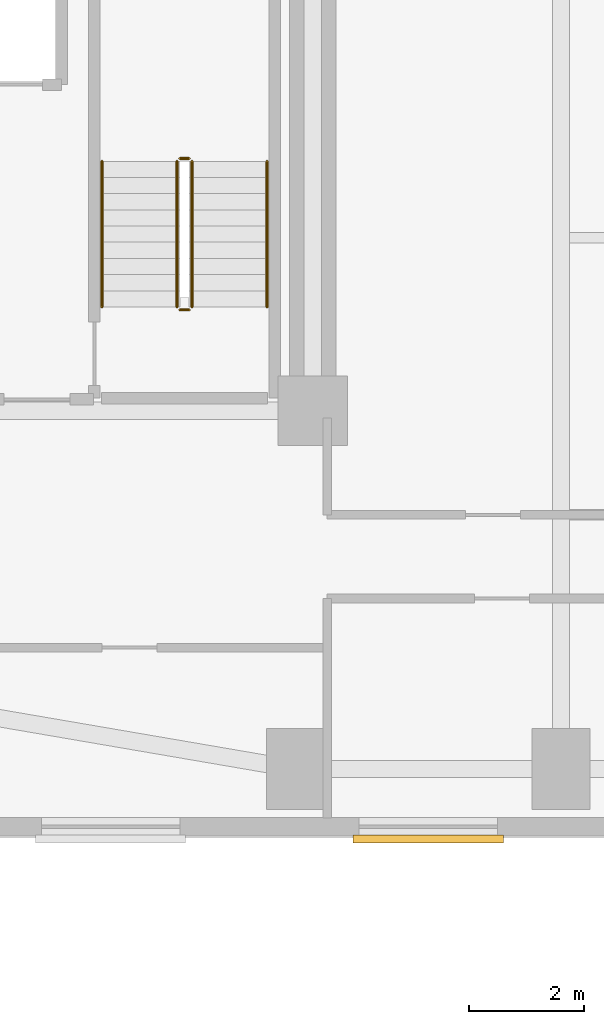
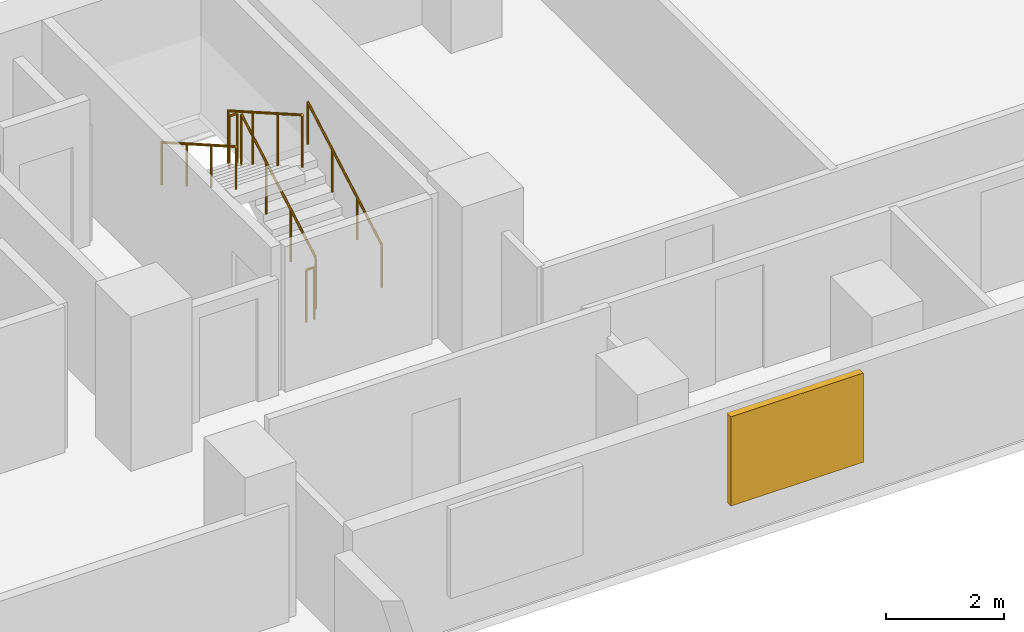
# One storey, part 14 of 15: 6 railings, 1 shading device.
"""IFC4 building model written with IfcOpenShell, lengths in metres."""

from ifc_helpers import new_model, si_unit, direction, frame, origin, origin_2d, place, context, subcontext, project, spatial, rectangle, circle, extrude, material, layer, layer_set, type_object, element, save


model = new_model("IFC4")

# Units and contexts
model_context = context("Model", 3, precision=1e-05, world=origin(), true_north=direction((0.0, 1.0)))
body_context = subcontext(model_context, "Body", "Model", "MODEL_VIEW")
ifc_project = project(units=[si_unit("LENGTHUNIT", "METRE"), si_unit("AREAUNIT", "SQUARE_METRE"), si_unit("VOLUMEUNIT", "CUBIC_METRE"), si_unit("PLANEANGLEUNIT", "RADIAN"), si_unit("MASSUNIT", "GRAM", prefix="KILO")], contexts=[model_context])

# Site, building, storey
site_placement = place(None, origin())
site = spatial("IfcSite", under=ifc_project, at=site_placement, CompositionType="ELEMENT")
building_placement = place(site_placement, origin())
building = spatial("IfcBuilding", under=site, at=building_placement, Name="Kuzgunbayir Cultural Tower", CompositionType="ELEMENT")
storey_placement = place(building_placement, frame((0.0, 0.0, 59.60009765625)))
storey = spatial("IfcBuildingStorey", under=building, at=storey_placement, Name="L16", CompositionType="ELEMENT", Elevation=59.60009765625)

# Railings
ifc_material_1 = material(Name="Brushed Stainless Steel", Category="steel")
ifc_layer_1 = layer(ifc_material_1, 0.050048828125)
ifc_layer_set_1 = layer_set([ifc_layer_1], Name="Brushed Stainless Steel")
railing_type_1 = type_object("IfcRailingType", Name="RLG-STAIR-HANDRAIL", PredefinedType="HANDRAIL", material=ifc_layer_set_1)
railing_1_placement = place(storey_placement, frame((26.110107421875, 35.60009765625, 0.159912109375)))
element("IfcRailing", 1, at=railing_1_placement, inside=storey, type_object=railing_type_1, Name="L16 ST-2 stair handrail 1", PredefinedType="HANDRAIL", context=body_context, shape_type="SweptSolid", body=[
    extrude(circle(Radius=0.02392578125, at=origin_2d()), frame((0.0, 0.0, 0.8759765625), z_axis=(0.0, 0.868253494771, 0.496120820787), x_axis=(-1.0, 0.0, 0.0)), (0.0, 0.0, 1.0), 2.90234375),
    extrude(circle(Radius=0.02099609375, at=origin_2d()), origin(), (0.0, 0.0, 1.0), 0.851806640625),
    extrude(circle(Radius=0.02099609375, at=origin_2d()), frame((0.0, 0.840087890625, 0.47998046875)), (0.0, 0.0, 1.0), 0.851806640625),
    extrude(circle(Radius=0.02099609375, at=origin_2d()), frame((0.0, 1.679931640625, 0.9599609375)), (0.0, 0.0, 1.0), 0.851806640625),
    extrude(circle(Radius=0.02099609375, at=origin_2d()), frame((0.0, 2.52001953125, 1.43994140625)), (0.0, 0.0, 1.0), 0.851806640625),
])
railing_2_placement = place(storey_placement, frame((23.25, 38.1201171875, 1.760009765625)))
element("IfcRailing", 2, at=railing_2_placement, inside=storey, type_object=railing_type_1, Name="L16 ST-2 stair handrail 2", PredefinedType="HANDRAIL", context=body_context, shape_type="SweptSolid", body=[
    extrude(circle(Radius=0.02392578125, at=origin_2d()), frame((0.0, 0.0, 0.8759765625), z_axis=(0.0, -0.868253494771, 0.496120820787), x_axis=(1.0, 0.0, 0.0)), (0.0, 0.0, 1.0), 2.90234375),
    extrude(circle(Radius=0.02099609375, at=origin_2d()), origin(), (0.0, 0.0, 1.0), 0.851806640625),
    extrude(circle(Radius=0.02099609375, at=origin_2d()), frame((0.0, -0.840087890625, 0.47998046875)), (0.0, 0.0, 1.0), 0.851806640625),
    extrude(circle(Radius=0.02099609375, at=origin_2d()), frame((0.0, -1.679931640625, 0.9599609375)), (0.0, 0.0, 1.0), 0.851806640625),
    extrude(circle(Radius=0.02099609375, at=origin_2d()), frame((0.0, -2.52001953125, 1.43994140625)), (0.0, 0.0, 1.0), 0.851806640625),
])
ifc_material_2 = material(Name="Painted Steel Balustrade", Category="steel")
ifc_layer_2 = layer(ifc_material_2, 0.06005859375)
ifc_layer_set_2 = layer_set([ifc_layer_2], Name="Painted Steel Balustrade")
railing_type_2 = type_object("IfcRailingType", Name="RLG-WELL-GUARD", PredefinedType="GUARDRAIL", material=ifc_layer_set_2)
railing_3_placement = place(storey_placement, frame((24.81005859375, 35.60009765625, 0.159912109375)))
element("IfcRailing", 3, at=railing_3_placement, inside=storey, type_object=railing_type_2, Name="L16 ST-2 stair guard 1", PredefinedType="GUARDRAIL", context=body_context, shape_type="SweptSolid", body=[
    extrude(circle(Radius=0.02392578125, at=origin_2d()), frame((0.0, 0.0, 1.076171875), z_axis=(0.0, 0.868253494771, 0.496120820787), x_axis=(-1.0, 0.0, 0.0)), (0.0, 0.0, 1.0), 2.90234375),
    extrude(circle(Radius=0.02099609375, at=origin_2d()), origin(), (0.0, 0.0, 1.0), 1.052001953125),
    extrude(circle(Radius=0.02099609375, at=origin_2d()), frame((0.0, 0.840087890625, 0.47998046875)), (0.0, 0.0, 1.0), 1.052001953125),
    extrude(circle(Radius=0.02099609375, at=origin_2d()), frame((0.0, 1.679931640625, 0.9599609375)), (0.0, 0.0, 1.0), 1.052001953125),
    extrude(circle(Radius=0.02099609375, at=origin_2d()), frame((0.0, 2.52001953125, 1.43994140625)), (0.0, 0.0, 1.0), 1.052001953125),
])
railing_4_placement = place(storey_placement, frame((24.760009765625, 38.169921875, 1.599853515625)))
element("IfcRailing", 4, at=railing_4_placement, inside=storey, type_object=railing_type_2, Name="L16 ST-2 stair guard 2", PredefinedType="GUARDRAIL", context=body_context, shape_type="SweptSolid", body=[
    extrude(circle(Radius=0.02392578125, at=origin_2d()), frame((0.0, 0.0, 1.076171875), z_axis=(-1.0, 0.0, 0.0), x_axis=(0.0, -1.0, 0.0)), (0.0, 0.0, 1.0), 0.159912109375),
    extrude(circle(Radius=0.02099609375, at=origin_2d()), origin(), (0.0, 0.0, 1.0), 1.052001953125),
    extrude(circle(Radius=0.02099609375, at=origin_2d()), frame((-0.159912109375, 0.0, 0.0)), (0.0, 0.0, 1.0), 1.052001953125),
])
railing_5_placement = place(storey_placement, frame((24.550048828125, 38.1201171875, 1.760009765625)))
element("IfcRailing", 5, at=railing_5_placement, inside=storey, type_object=railing_type_2, Name="L16 ST-2 stair guard 3", PredefinedType="GUARDRAIL", context=body_context, shape_type="SweptSolid", body=[
    extrude(circle(Radius=0.02392578125, at=origin_2d()), frame((0.0, 0.0, 1.076171875), z_axis=(0.0, -0.868253494771, 0.496120820787), x_axis=(1.0, 0.0, 0.0)), (0.0, 0.0, 1.0), 2.90234375),
    extrude(circle(Radius=0.02099609375, at=origin_2d()), origin(), (0.0, 0.0, 1.0), 1.052001953125),
    extrude(circle(Radius=0.02099609375, at=origin_2d()), frame((0.0, -0.840087890625, 0.47998046875)), (0.0, 0.0, 1.0), 1.052001953125),
    extrude(circle(Radius=0.02099609375, at=origin_2d()), frame((0.0, -1.679931640625, 0.9599609375)), (0.0, 0.0, 1.0), 1.052001953125),
    extrude(circle(Radius=0.02099609375, at=origin_2d()), frame((0.0, -2.52001953125, 1.43994140625)), (0.0, 0.0, 1.0), 1.052001953125),
])
railing_6_placement = place(storey_placement, frame((24.760009765625, 35.550048828125, 0.0)))
element("IfcRailing", 6, at=railing_6_placement, inside=storey, type_object=railing_type_2, Name="L16 ST-2 stair guard 4", PredefinedType="GUARDRAIL", context=body_context, shape_type="SweptSolid", body=[
    extrude(circle(Radius=0.02392578125, at=origin_2d()), frame((0.0, 0.0, 1.076171875), z_axis=(-1.0, 0.0, 0.0), x_axis=(0.0, -1.0, 0.0)), (0.0, 0.0, 1.0), 0.159912109375),
    extrude(circle(Radius=0.02099609375, at=origin_2d()), origin(), (0.0, 0.0, 1.0), 1.052001953125),
    extrude(circle(Radius=0.02099609375, at=origin_2d()), frame((-0.159912109375, 0.0, 0.0)), (0.0, 0.0, 1.0), 1.052001953125),
])

# Shading device
ifc_material_3 = material(Name="Perforated Bronze-Anodised Aluminium", Category="aluminium")
shading_device_type = type_object("IfcShadingDeviceType", Name="SHD-SOLAR-BRONZE", PredefinedType="JALOUSIE", material=ifc_material_3)
shading_device_placement = place(storey_placement, frame((28.89990234375, 26.389892578125, 0.724853515625), z_axis=(0.0, 0.0, 1.0), x_axis=(1.0, 0.0, 0.0)))
element("IfcShadingDevice", 7, at=shading_device_placement, inside=storey, type_object=shading_device_type, Name="L16 Solar Screen WBS8", PredefinedType="JALOUSIE", context=body_context, shape_type="SweptSolid", body=[
    extrude(rectangle(XDim=2.60009765625, YDim=0.139892578125, at=origin_2d()), origin(), (0.0, 0.0, 1.0), 1.85009765625),
])

save(model, "model.ifc")
